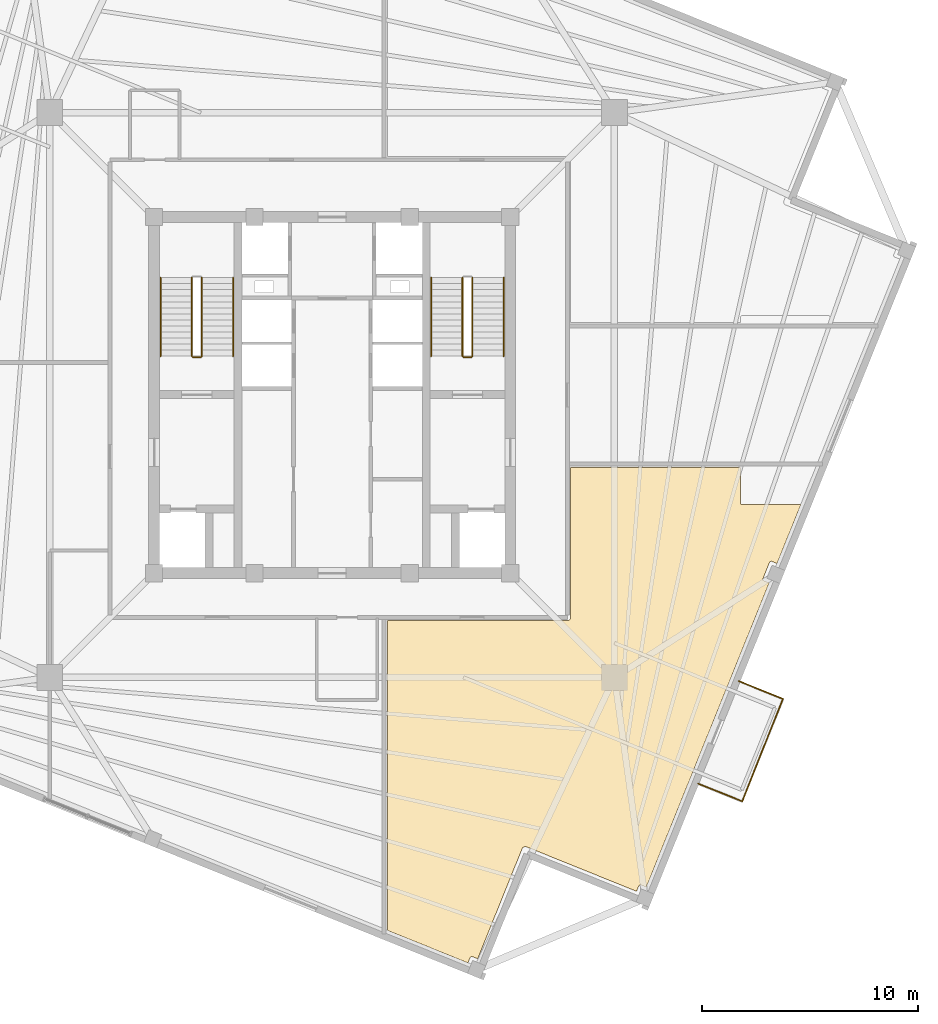
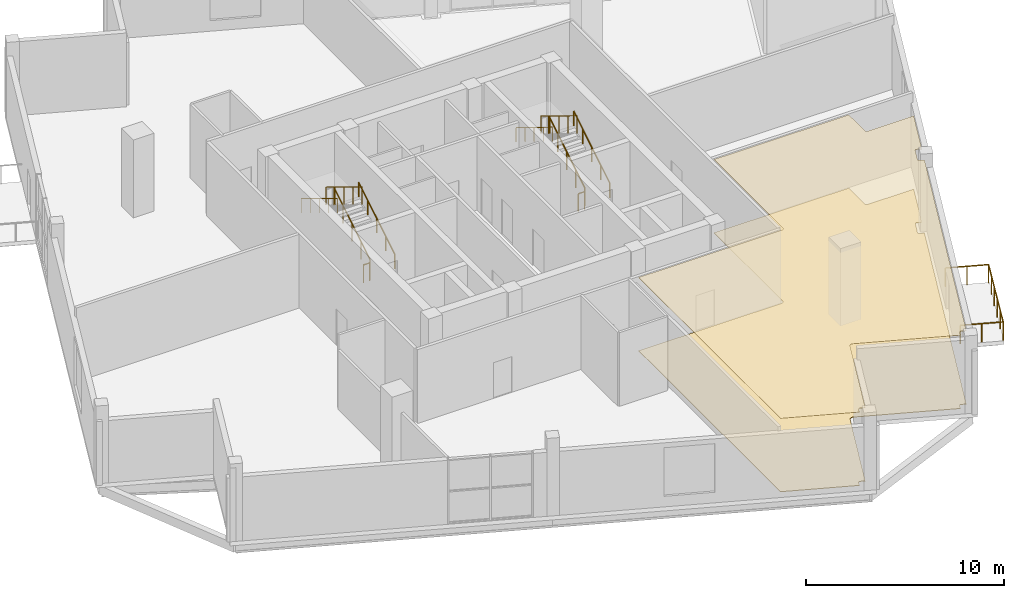
# One storey, part 10 of 12: 13 railings, 2 coverings.
"""IFC4 building model written with IfcOpenShell, lengths in metres."""

from ifc_helpers import new_model, si_unit, direction, frame, origin, origin_2d, place, context, subcontext, project, spatial, polyline, circle, outline, extrude, source, transform, mapped, material, layer, layer_set, type_object, element, save


model = new_model("IFC4")

# Units and contexts
model_context = context("Model", 3, precision=1e-05, world=origin(), true_north=direction((0.0, 1.0)))
body_context = subcontext(model_context, "Body", "Model", "MODEL_VIEW")
ifc_project = project(units=[si_unit("LENGTHUNIT", "METRE"), si_unit("AREAUNIT", "SQUARE_METRE"), si_unit("VOLUMEUNIT", "CUBIC_METRE"), si_unit("PLANEANGLEUNIT", "RADIAN"), si_unit("MASSUNIT", "GRAM", prefix="KILO"), si_unit("THERMODYNAMICTEMPERATUREUNIT", "KELVIN")], contexts=[model_context])

# Site, building, storey
site_placement = place(None, origin())
site = spatial("IfcSite", under=ifc_project, at=site_placement, CompositionType="ELEMENT")
building_placement = place(site_placement, origin())
building = spatial("IfcBuilding", under=site, at=building_placement, Name="Kosmvard Interchange Tower", CompositionType="ELEMENT")
storey_placement = place(building_placement, frame((0.0, 0.0, 312.0)))
storey = spatial("IfcBuildingStorey", under=building, at=storey_placement, Name="L77", CompositionType="ELEMENT", Elevation=312.0)

# Coverings
ifc_material_1 = material(Name="Acoustic gypsum ceiling tile")
ifc_layer_1 = layer(ifc_material_1, 0.02490234375, Name="Acoustic gypsum ceiling tile")
ifc_layer_set_1 = layer_set([ifc_layer_1], Name="Acoustic gypsum ceiling tile")
covering_type_1 = type_object("IfcCoveringType", Name="Acoustic Perforated Suspended Ceiling 25", PredefinedType="CEILING", material=ifc_layer_set_1)
covering_1_placement = place(storey_placement, frame((0.0, 0.0, 4.52490234375)))
element("IfcCovering", 1, at=covering_1_placement, inside=storey, type_object=covering_type_1, Name="L77 Acoustic Ceiling L77-OBDS", PredefinedType="CEILING", context=body_context, shape_type="SweptSolid", body=[
    extrude(outline(polyline([(6.7421875, -26.117431640625), (8.802490234375, -21.017822265625), (8.80419921875, -21.014404296875), (8.80712890625, -21.007568359375), (8.810791015625, -21.000732421875), (8.814453125, -20.994384765625), (8.81884765625, -20.98779296875), (8.8232421875, -20.981689453125), (8.828125, -20.975830078125), (8.8330078125, -20.97021484375), (8.83837890625, -20.964599609375), (8.843994140625, -20.959716796875), (8.849853515625, -20.95458984375), (8.855712890625, -20.9501953125), (8.8623046875, -20.94580078125), (8.86865234375, -20.94189453125), (8.87548828125, -20.938232421875), (8.882080078125, -20.934814453125), (8.889404296875, -20.931884765625), (8.896240234375, -20.92919921875), (8.90380859375, -20.927001953125), (8.910888671875, -20.925048828125), (8.91845703125, -20.923583984375), (8.92578125, -20.92236328125), (8.93359375, -20.921630859375), (8.94091796875, -20.921142578125), (8.94873046875, -20.921142578125), (8.956298828125, -20.92138671875), (8.9638671875, -20.922119140625), (8.97119140625, -20.923095703125), (8.97900390625, -20.924560546875), (8.986083984375, -20.92626953125), (8.99365234375, -20.928466796875), (9.000732421875, -20.930908203125), (9.00439453125, -20.932373046875), (14.103759765625, -22.99267578125), (14.203125, -22.746826171875), (14.206298828125, -22.73974609375), (14.21044921875, -22.73291015625), (14.21484375, -22.7265625), (14.22021484375, -22.720703125), (14.22607421875, -22.715576171875), (14.232177734375, -22.710693359375), (14.239013671875, -22.70654296875), (14.24609375, -22.703125), (14.25341796875, -22.700439453125), (14.260986328125, -22.698486328125), (14.268798828125, -22.697265625), (14.276611328125, -22.69677734375), (14.284423828125, -22.697265625), (14.292236328125, -22.6982421875), (14.2998046875, -22.7001953125), (14.30712890625, -22.70263671875), (14.552978515625, -22.802001953125), (20.248779296875, -8.7041015625), (20.003173828125, -8.60498046875), (19.99609375, -8.6015625), (19.9892578125, -8.59765625), (19.98291015625, -8.593017578125), (19.97705078125, -8.587646484375), (19.9716796875, -8.58203125), (19.967041015625, -8.57568359375), (19.962890625, -8.569091796875), (19.95947265625, -8.56201171875), (19.956787109375, -8.5546875), (19.954833984375, -8.546875), (19.95361328125, -8.539306640625), (19.953125, -8.531494140625), (19.953369140625, -8.5234375), (19.95458984375, -8.515869140625), (19.956298828125, -8.508056640625), (19.958984375, -8.500732421875), (20.262451171875, -7.749755859375), (20.265625, -7.74267578125), (20.26953125, -7.73583984375), (20.274169921875, -7.7294921875), (20.279541015625, -7.7236328125), (20.28515625, -7.71826171875), (20.29150390625, -7.713623046875), (20.298095703125, -7.70947265625), (20.30517578125, -7.7060546875), (20.3125, -7.703369140625), (20.3203125, -7.701416015625), (20.327880859375, -7.7001953125), (20.335693359375, -7.69970703125), (20.34375, -7.699951171875), (20.351318359375, -7.701171875), (20.359130859375, -7.702880859375), (20.366455078125, -7.70556640625), (20.612060546875, -7.8046875), (21.713134765625, -5.080078125), (19.0, -5.080078125), (18.9921875, -5.07958984375), (18.984375, -5.078369140625), (18.976806640625, -5.07666015625), (18.969482421875, -5.073974609375), (18.96240234375, -5.070556640625), (18.95556640625, -5.06640625), (18.94921875, -5.061767578125), (18.943359375, -5.056640625), (18.938232421875, -5.05078125), (18.93359375, -5.04443359375), (18.929443359375, -5.03759765625), (18.926025390625, -5.030517578125), (18.92333984375, -5.023193359375), (18.921630859375, -5.015625), (18.92041015625, -5.0078125), (18.919921875, -5.0), (18.919921875, -3.360107421875), (11.054931640625, -3.360107421875), (11.054931640625, -10.300048828125), (11.054931640625, -10.303955078125), (11.054443359375, -10.311279296875), (11.0537109375, -10.319091796875), (11.052734375, -10.326416015625), (11.05126953125, -10.333984375), (11.04931640625, -10.34130859375), (11.047119140625, -10.3486328125), (11.044677734375, -10.355712890625), (11.04150390625, -10.363037109375), (11.038330078125, -10.36962890625), (11.034912109375, -10.37646484375), (11.031005859375, -10.3828125), (11.026611328125, -10.389404296875), (11.022216796875, -10.395263671875), (11.01708984375, -10.4013671875), (11.01220703125, -10.40673828125), (11.0068359375, -10.412353515625), (11.00146484375, -10.417236328125), (10.9951171875, -10.42236328125), (10.9892578125, -10.426513671875), (10.982666015625, -10.430908203125), (10.976318359375, -10.434814453125), (10.969482421875, -10.4384765625), (10.962890625, -10.441650390625), (10.95556640625, -10.444580078125), (10.94873046875, -10.447021484375), (10.941162109375, -10.449462890625), (10.93408203125, -10.451171875), (10.92626953125, -10.45263671875), (10.919189453125, -10.453857421875), (10.911376953125, -10.45458984375), (10.90380859375, -10.454833984375), (10.89990234375, -10.455078125), (2.56005859375, -10.455078125), (2.56005859375, -24.7998046875), (6.29296875, -26.30810546875), (6.392333984375, -26.062255859375), (6.3955078125, -26.05517578125), (6.399658203125, -26.048583984375), (6.404296875, -26.042236328125), (6.409423828125, -26.036376953125), (6.415283203125, -26.031005859375), (6.42138671875, -26.026123046875), (6.42822265625, -26.022216796875), (6.435302734375, -26.018798828125), (6.442626953125, -26.015869140625), (6.4501953125, -26.013916015625), (6.4580078125, -26.0126953125), (6.4658203125, -26.012451171875), (6.4736328125, -26.0126953125), (6.4814453125, -26.013671875), (6.489013671875, -26.015625), (6.49658203125, -26.01806640625), (6.7421875, -26.117431640625)])), origin(), (0.0, 0.0, 1.0), 0.025146484375),
])
ifc_material_2 = material(Name="Polished terrazzo flooring")
ifc_layer_2 = layer(ifc_material_2, 0.030029296875, Name="Polished terrazzo flooring")
ifc_layer_set_2 = layer_set([ifc_layer_2], Name="Polished terrazzo flooring")
covering_type_2 = type_object("IfcCoveringType", Name="Heavy-Duty Terrazzo & Porcelain Flooring 30", PredefinedType="FLOORING", material=ifc_layer_set_2)
covering_2_placement = place(storey_placement, origin())
element("IfcCovering", 2, at=covering_2_placement, inside=storey, type_object=covering_type_2, Name="L77 Floor Finish L77-OBDS", PredefinedType="FLOORING", context=body_context, shape_type="SweptSolid", body=[
    extrude(outline(polyline([(6.7421875, -26.117431640625), (8.802490234375, -21.017822265625), (8.80419921875, -21.014404296875), (8.80712890625, -21.007568359375), (8.810791015625, -21.000732421875), (8.814453125, -20.994384765625), (8.81884765625, -20.98779296875), (8.8232421875, -20.981689453125), (8.828125, -20.975830078125), (8.8330078125, -20.97021484375), (8.83837890625, -20.964599609375), (8.843994140625, -20.959716796875), (8.849853515625, -20.95458984375), (8.855712890625, -20.9501953125), (8.8623046875, -20.94580078125), (8.86865234375, -20.94189453125), (8.87548828125, -20.938232421875), (8.882080078125, -20.934814453125), (8.889404296875, -20.931884765625), (8.896240234375, -20.92919921875), (8.90380859375, -20.927001953125), (8.910888671875, -20.925048828125), (8.91845703125, -20.923583984375), (8.92578125, -20.92236328125), (8.93359375, -20.921630859375), (8.94091796875, -20.921142578125), (8.94873046875, -20.921142578125), (8.956298828125, -20.92138671875), (8.9638671875, -20.922119140625), (8.97119140625, -20.923095703125), (8.97900390625, -20.924560546875), (8.986083984375, -20.92626953125), (8.99365234375, -20.928466796875), (9.000732421875, -20.930908203125), (9.00439453125, -20.932373046875), (14.103759765625, -22.99267578125), (14.203125, -22.746826171875), (14.206298828125, -22.73974609375), (14.21044921875, -22.73291015625), (14.21484375, -22.7265625), (14.22021484375, -22.720703125), (14.22607421875, -22.715576171875), (14.232177734375, -22.710693359375), (14.239013671875, -22.70654296875), (14.24609375, -22.703125), (14.25341796875, -22.700439453125), (14.260986328125, -22.698486328125), (14.268798828125, -22.697265625), (14.276611328125, -22.69677734375), (14.284423828125, -22.697265625), (14.292236328125, -22.6982421875), (14.2998046875, -22.7001953125), (14.30712890625, -22.70263671875), (14.552978515625, -22.802001953125), (20.248779296875, -8.7041015625), (20.003173828125, -8.60498046875), (19.99609375, -8.6015625), (19.9892578125, -8.59765625), (19.98291015625, -8.593017578125), (19.97705078125, -8.587646484375), (19.9716796875, -8.58203125), (19.967041015625, -8.57568359375), (19.962890625, -8.569091796875), (19.95947265625, -8.56201171875), (19.956787109375, -8.5546875), (19.954833984375, -8.546875), (19.95361328125, -8.539306640625), (19.953125, -8.531494140625), (19.953369140625, -8.5234375), (19.95458984375, -8.515869140625), (19.956298828125, -8.508056640625), (19.958984375, -8.500732421875), (20.262451171875, -7.749755859375), (20.265625, -7.74267578125), (20.26953125, -7.73583984375), (20.274169921875, -7.7294921875), (20.279541015625, -7.7236328125), (20.28515625, -7.71826171875), (20.29150390625, -7.713623046875), (20.298095703125, -7.70947265625), (20.30517578125, -7.7060546875), (20.3125, -7.703369140625), (20.3203125, -7.701416015625), (20.327880859375, -7.7001953125), (20.335693359375, -7.69970703125), (20.34375, -7.699951171875), (20.351318359375, -7.701171875), (20.359130859375, -7.702880859375), (20.366455078125, -7.70556640625), (20.612060546875, -7.8046875), (21.713134765625, -5.080078125), (19.0, -5.080078125), (18.9921875, -5.07958984375), (18.984375, -5.078369140625), (18.976806640625, -5.07666015625), (18.969482421875, -5.073974609375), (18.96240234375, -5.070556640625), (18.95556640625, -5.06640625), (18.94921875, -5.061767578125), (18.943359375, -5.056640625), (18.938232421875, -5.05078125), (18.93359375, -5.04443359375), (18.929443359375, -5.03759765625), (18.926025390625, -5.030517578125), (18.92333984375, -5.023193359375), (18.921630859375, -5.015625), (18.92041015625, -5.0078125), (18.919921875, -5.0), (18.919921875, -3.360107421875), (11.054931640625, -3.360107421875), (11.054931640625, -10.300048828125), (11.054931640625, -10.303955078125), (11.054443359375, -10.311279296875), (11.0537109375, -10.319091796875), (11.052734375, -10.326416015625), (11.05126953125, -10.333984375), (11.04931640625, -10.34130859375), (11.047119140625, -10.3486328125), (11.044677734375, -10.355712890625), (11.04150390625, -10.363037109375), (11.038330078125, -10.36962890625), (11.034912109375, -10.37646484375), (11.031005859375, -10.3828125), (11.026611328125, -10.389404296875), (11.022216796875, -10.395263671875), (11.01708984375, -10.4013671875), (11.01220703125, -10.40673828125), (11.0068359375, -10.412353515625), (11.00146484375, -10.417236328125), (10.9951171875, -10.42236328125), (10.9892578125, -10.426513671875), (10.982666015625, -10.430908203125), (10.976318359375, -10.434814453125), (10.969482421875, -10.4384765625), (10.962890625, -10.441650390625), (10.95556640625, -10.444580078125), (10.94873046875, -10.447021484375), (10.941162109375, -10.449462890625), (10.93408203125, -10.451171875), (10.92626953125, -10.45263671875), (10.919189453125, -10.453857421875), (10.911376953125, -10.45458984375), (10.90380859375, -10.454833984375), (10.89990234375, -10.455078125), (2.56005859375, -10.455078125), (2.56005859375, -24.7998046875), (6.29296875, -26.30810546875), (6.392333984375, -26.062255859375), (6.3955078125, -26.05517578125), (6.399658203125, -26.048583984375), (6.404296875, -26.042236328125), (6.409423828125, -26.036376953125), (6.415283203125, -26.031005859375), (6.42138671875, -26.026123046875), (6.42822265625, -26.022216796875), (6.435302734375, -26.018798828125), (6.442626953125, -26.015869140625), (6.4501953125, -26.013916015625), (6.4580078125, -26.0126953125), (6.4658203125, -26.012451171875), (6.4736328125, -26.0126953125), (6.4814453125, -26.013671875), (6.489013671875, -26.015625), (6.49658203125, -26.01806640625), (6.7421875, -26.117431640625)])), origin(), (0.0, 0.0, 1.0), 0.030029296875),
])

# Railings
ifc_material_3 = material(Name="Steel S355", Category="steel")
railing_type_1 = type_object("IfcRailingType", Name="Observation & Balcony Glass-Infill Balustrade 1150", PredefinedType="BALUSTRADE", material=ifc_material_3)
shared_shape_1 = source(origin(), body_context, "Body", "SweptSolid", [
    extrude(circle(Radius=0.02392578125, at=origin_2d()), frame((0.0, 0.0, 1.1259765625), z_axis=(-0.927208487558, 0.374545618852, 0.0), x_axis=(-0.374545618852, -0.927208487558, 0.0)), (0.0, 0.0, 1.0), 2.199951171875),
    extrude(circle(Radius=0.02099609375, at=origin_2d()), origin(), (0.0, 0.0, 1.0), 1.101806640625),
    extrude(circle(Radius=0.02099609375, at=origin_2d()), frame((-1.02001953125, 0.412109375, 0.0)), (0.0, 0.0, 1.0), 1.101806640625),
    extrude(circle(Radius=0.02099609375, at=origin_2d()), frame((-2.039794921875, 0.823974609375, 0.0)), (0.0, 0.0, 1.0), 1.101806640625),
])
railing_1_placement = place(storey_placement, frame((20.883056640625, -14.079833984375, 0.0)))
element("IfcRailing", 3, at=railing_1_placement, inside=storey, type_object=railing_type_1, Name="L77 Outdoor Terrace Guard OBD-L77-S-C", PredefinedType="BALUSTRADE", context=body_context, shape_type="MappedRepresentation", body=[
    mapped(shared_shape_1, transform((0.0, 0.0, 0.0), scale=1.0)),
])
shared_shape_2 = source(origin(), body_context, "Body", "SweptSolid", [
    extrude(circle(Radius=0.02392578125, at=origin_2d()), frame((0.0, 0.0, 1.1259765625), z_axis=(0.927208487558, -0.374545618852, 0.0), x_axis=(0.374545618852, 0.927208487558, 0.0)), (0.0, 0.0, 1.0), 2.199951171875),
    extrude(circle(Radius=0.02099609375, at=origin_2d()), origin(), (0.0, 0.0, 1.0), 1.101806640625),
    extrude(circle(Radius=0.02099609375, at=origin_2d()), frame((1.02001953125, -0.412109375, 0.0)), (0.0, 0.0, 1.0), 1.101806640625),
    extrude(circle(Radius=0.02099609375, at=origin_2d()), frame((2.039794921875, -0.823974609375, 0.0)), (0.0, 0.0, 1.0), 1.101806640625),
])
railing_2_placement = place(storey_placement, frame((16.9599609375, -18.0009765625, 0.0)))
element("IfcRailing", 4, at=railing_2_placement, inside=storey, type_object=railing_type_1, Name="L77 Outdoor Terrace Guard OBD-L77-S-A", PredefinedType="BALUSTRADE", context=body_context, shape_type="MappedRepresentation", body=[
    mapped(shared_shape_2, transform((0.0, 0.0, 0.0), scale=1.0)),
])
shared_shape_3 = source(origin(), body_context, "Body", "SweptSolid", [
    extrude(circle(Radius=0.02392578125, at=origin_2d()), frame((0.0, 0.0, 1.1259765625), z_axis=(0.368899296073, 0.929469369779, 0.0), x_axis=(-0.929469369779, 0.368899296073, 0.0)), (0.0, 0.0, 1.0), 5.105224609375),
    extrude(circle(Radius=0.02099609375, at=origin_2d()), origin(), (0.0, 0.0, 1.0), 1.101806640625),
    extrude(circle(Radius=0.02099609375, at=origin_2d()), frame((0.376708984375, 0.948974609375, 0.0)), (0.0, 0.0, 1.0), 1.101806640625),
    extrude(circle(Radius=0.02099609375, at=origin_2d()), frame((0.75341796875, 1.89794921875, 0.0)), (0.0, 0.0, 1.0), 1.101806640625),
    extrude(circle(Radius=0.02099609375, at=origin_2d()), frame((1.1298828125, 2.84716796875, 0.0)), (0.0, 0.0, 1.0), 1.101806640625),
    extrude(circle(Radius=0.02099609375, at=origin_2d()), frame((1.506591796875, 3.796142578125, 0.0)), (0.0, 0.0, 1.0), 1.101806640625),
    extrude(circle(Radius=0.02099609375, at=origin_2d()), frame((1.88330078125, 4.7451171875, 0.0)), (0.0, 0.0, 1.0), 1.101806640625),
])
railing_3_placement = place(storey_placement, frame((18.999755859375, -18.824951171875, 0.0)))
element("IfcRailing", 5, at=railing_3_placement, inside=storey, type_object=railing_type_1, Name="L77 Outdoor Terrace Guard OBD-L77-S-B", PredefinedType="BALUSTRADE", context=body_context, shape_type="MappedRepresentation", body=[
    mapped(shared_shape_3, transform((0.0, 0.0, 0.0), scale=1.0)),
])
railing_type_2 = type_object("IfcRailingType", Name="Stair & Terrace Safety Guardrail 1100 Steel", PredefinedType="GUARDRAIL", material=ifc_material_3)
shared_shape_4 = source(origin(), body_context, "Body", "SweptSolid", [
    extrude(circle(Radius=0.02392578125, at=origin_2d()), frame((0.0, 0.0, 1.076171875), z_axis=(-1.0, 0.0, 0.0), x_axis=(0.0, -1.0, 0.0)), (0.0, 0.0, 1.0), 0.35986328125),
    extrude(circle(Radius=0.02099609375, at=origin_2d()), origin(), (0.0, 0.0, 1.0), 1.052001953125),
    extrude(circle(Radius=0.02099609375, at=origin_2d()), frame((-0.35986328125, 0.0, 0.0)), (0.0, 0.0, 1.0), 1.052001953125),
])
for number, where, name in (
    (6, (-6.090087890625, 1.75, 0.0), "L77 ST-1 stair guard 4"),
    (7, (6.449951171875, 1.75, 0.0), "L77 ST-2 stair guard 4"),
):
    element("IfcRailing", number, at=place(storey_placement, frame(where)), inside=storey, type_object=railing_type_2, Name=name, PredefinedType="GUARDRAIL", context=body_context, shape_type="MappedRepresentation", body=[
        mapped(shared_shape_4, transform((0.0, 0.0, 0.0), scale=1.0)),
    ])
shared_shape_5 = source(origin(), body_context, "Body", "SweptSolid", [
    extrude(circle(Radius=0.02392578125, at=origin_2d()), frame((0.0, 0.0, 1.076171875), z_axis=(0.0, 0.852850264322, 0.5221555579), x_axis=(-1.0, 0.0, 0.0)), (0.0, 0.0, 1.0), 4.267822265625),
    extrude(circle(Radius=0.02099609375, at=origin_2d()), origin(), (0.0, 0.0, 1.0), 1.052001953125),
    extrude(circle(Radius=0.02099609375, at=origin_2d()), frame((0.0, 0.909912109375, 0.55712890625)), (0.0, 0.0, 1.0), 1.052001953125),
    extrude(circle(Radius=0.02099609375, at=origin_2d()), frame((0.0, 1.81982421875, 1.1142578125)), (0.0, 0.0, 1.0), 1.052001953125),
    extrude(circle(Radius=0.02099609375, at=origin_2d()), frame((0.0, 2.72998046875, 1.67138671875)), (0.0, 0.0, 1.0), 1.052001953125),
    extrude(circle(Radius=0.02099609375, at=origin_2d()), frame((0.0, 3.639892578125, 2.228515625)), (0.0, 0.0, 1.0), 1.052001953125),
])
for number, where, name in (
    (8, (-6.0400390625, 1.800048828125, 0.17138671875), "L77 ST-1 stair guard 1"),
    (9, (6.5, 1.800048828125, 0.17138671875), "L77 ST-2 stair guard 1"),
):
    element("IfcRailing", number, at=place(storey_placement, frame(where)), inside=storey, type_object=railing_type_2, Name=name, PredefinedType="GUARDRAIL", context=body_context, shape_type="MappedRepresentation", body=[
        mapped(shared_shape_5, transform((0.0, 0.0, 0.0), scale=1.0)),
    ])
shared_shape_6 = source(origin(), body_context, "Body", "SweptSolid", [
    extrude(circle(Radius=0.02392578125, at=origin_2d()), frame((0.0, 0.0, 1.076171875), z_axis=(0.0, -0.852850264322, 0.5221555579), x_axis=(1.0, 0.0, 0.0)), (0.0, 0.0, 1.0), 4.267822265625),
    extrude(circle(Radius=0.02099609375, at=origin_2d()), origin(), (0.0, 0.0, 1.0), 1.052001953125),
    extrude(circle(Radius=0.02099609375, at=origin_2d()), frame((0.0, -0.909912109375, 0.55712890625)), (0.0, 0.0, 1.0), 1.052001953125),
    extrude(circle(Radius=0.02099609375, at=origin_2d()), frame((0.0, -1.81982421875, 1.1142578125)), (0.0, 0.0, 1.0), 1.052001953125),
    extrude(circle(Radius=0.02099609375, at=origin_2d()), frame((0.0, -2.72998046875, 1.67138671875)), (0.0, 0.0, 1.0), 1.052001953125),
    extrude(circle(Radius=0.02099609375, at=origin_2d()), frame((0.0, -3.639892578125, 2.228515625)), (0.0, 0.0, 1.0), 1.052001953125),
])
for number, where, name in (
    (10, (-6.5, 5.43994140625, 2.571533203125), "L77 ST-1 stair guard 3"),
    (11, (6.0400390625, 5.43994140625, 2.571533203125), "L77 ST-2 stair guard 3"),
):
    element("IfcRailing", number, at=place(storey_placement, frame(where)), inside=storey, type_object=railing_type_2, Name=name, PredefinedType="GUARDRAIL", context=body_context, shape_type="MappedRepresentation", body=[
        mapped(shared_shape_6, transform((0.0, 0.0, 0.0), scale=1.0)),
    ])
railing_type_3 = type_object("IfcRailingType", Name="Wall-Mounted Stair Handrail 900 Steel", PredefinedType="HANDRAIL", material=ifc_material_3)
shared_shape_7 = source(origin(), body_context, "Body", "SweptSolid", [
    extrude(circle(Radius=0.02392578125, at=origin_2d()), frame((0.0, 0.0, 0.8759765625), z_axis=(0.0, 0.852850264322, 0.5221555579), x_axis=(-1.0, 0.0, 0.0)), (0.0, 0.0, 1.0), 4.267822265625),
    extrude(circle(Radius=0.02099609375, at=origin_2d()), origin(), (0.0, 0.0, 1.0), 0.851806640625),
    extrude(circle(Radius=0.02099609375, at=origin_2d()), frame((0.0, 0.909912109375, 0.55712890625)), (0.0, 0.0, 1.0), 0.851806640625),
    extrude(circle(Radius=0.02099609375, at=origin_2d()), frame((0.0, 1.81982421875, 1.1142578125)), (0.0, 0.0, 1.0), 0.851806640625),
    extrude(circle(Radius=0.02099609375, at=origin_2d()), frame((0.0, 2.72998046875, 1.67138671875)), (0.0, 0.0, 1.0), 0.851806640625),
    extrude(circle(Radius=0.02099609375, at=origin_2d()), frame((0.0, 3.639892578125, 2.228515625)), (0.0, 0.0, 1.0), 0.851806640625),
])
for number, where, name in (
    (12, (-4.590087890625, 1.800048828125, 0.17138671875), "L77 ST-1 stair handrail 1"),
    (13, (7.949951171875, 1.800048828125, 0.17138671875), "L77 ST-2 stair handrail 1"),
):
    element("IfcRailing", number, at=place(storey_placement, frame(where)), inside=storey, type_object=railing_type_3, Name=name, PredefinedType="HANDRAIL", context=body_context, shape_type="MappedRepresentation", body=[
        mapped(shared_shape_7, transform((0.0, 0.0, 0.0), scale=1.0)),
    ])
shared_shape_8 = source(origin(), body_context, "Body", "SweptSolid", [
    extrude(circle(Radius=0.02392578125, at=origin_2d()), frame((0.0, 0.0, 0.8759765625), z_axis=(0.0, -0.852850264322, 0.5221555579), x_axis=(1.0, 0.0, 0.0)), (0.0, 0.0, 1.0), 4.267822265625),
    extrude(circle(Radius=0.02099609375, at=origin_2d()), origin(), (0.0, 0.0, 1.0), 0.851806640625),
    extrude(circle(Radius=0.02099609375, at=origin_2d()), frame((0.0, -0.909912109375, 0.55712890625)), (0.0, 0.0, 1.0), 0.851806640625),
    extrude(circle(Radius=0.02099609375, at=origin_2d()), frame((0.0, -1.81982421875, 1.1142578125)), (0.0, 0.0, 1.0), 0.851806640625),
    extrude(circle(Radius=0.02099609375, at=origin_2d()), frame((0.0, -2.72998046875, 1.67138671875)), (0.0, 0.0, 1.0), 0.851806640625),
    extrude(circle(Radius=0.02099609375, at=origin_2d()), frame((0.0, -3.639892578125, 2.228515625)), (0.0, 0.0, 1.0), 0.851806640625),
])
for number, where, name in (
    (14, (-7.949951171875, 5.43994140625, 2.571533203125), "L77 ST-1 stair handrail 2"),
    (15, (4.590087890625, 5.43994140625, 2.571533203125), "L77 ST-2 stair handrail 2"),
):
    element("IfcRailing", number, at=place(storey_placement, frame(where)), inside=storey, type_object=railing_type_3, Name=name, PredefinedType="HANDRAIL", context=body_context, shape_type="MappedRepresentation", body=[
        mapped(shared_shape_8, transform((0.0, 0.0, 0.0), scale=1.0)),
    ])

save(model, "model.ifc")
